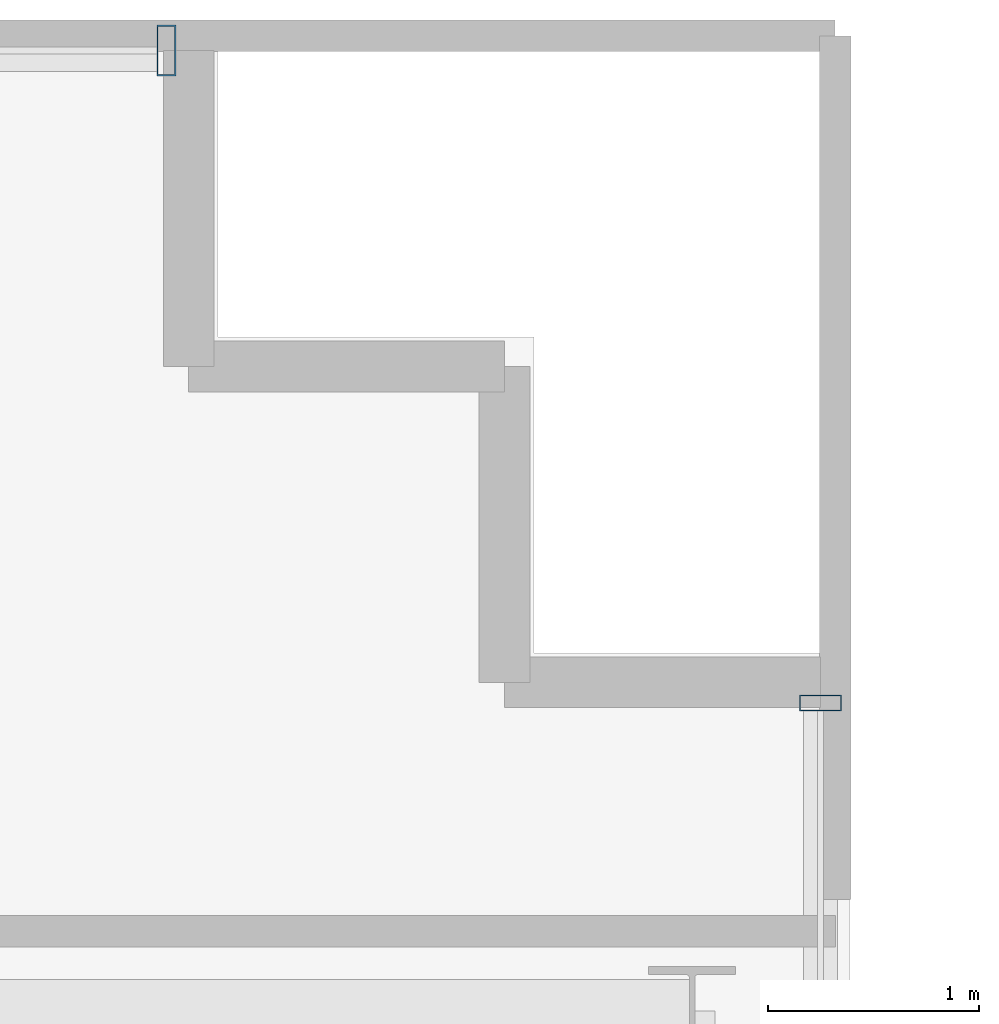
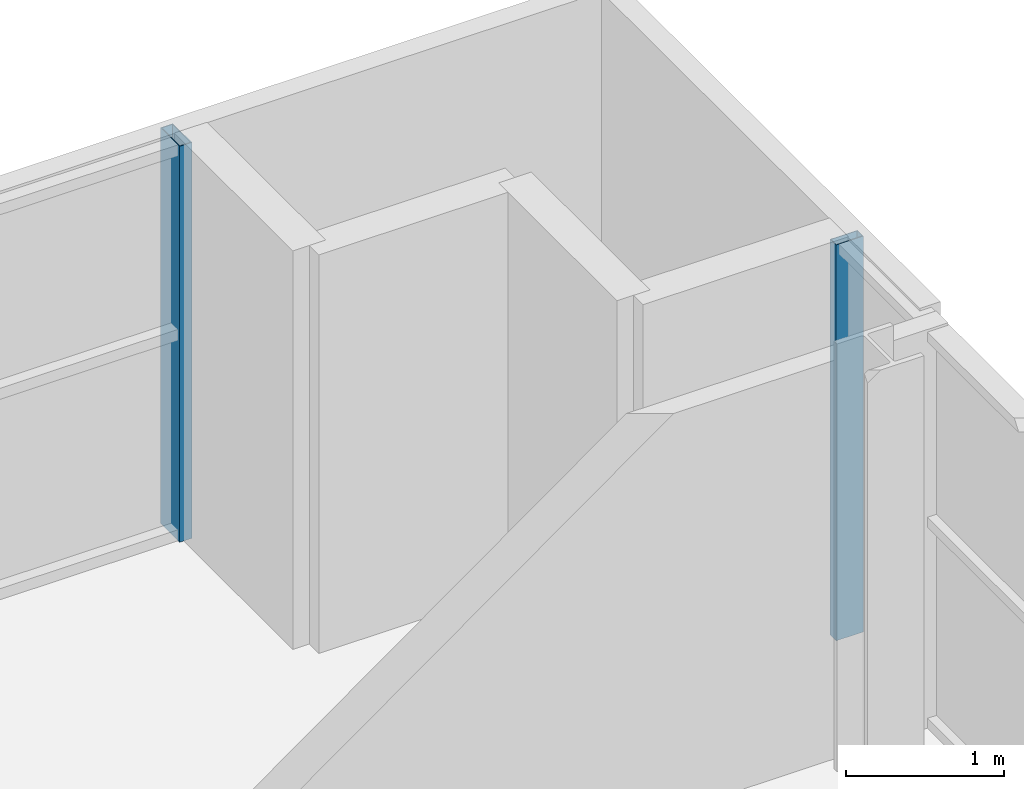
# One storey, part 20 of 30: 2 members, 2 elements without a shape of their own.
"""IFC4 building model written with IfcOpenShell, lengths in metres."""

from ifc_helpers import new_model, si_unit, direction, frame, origin, origin_2d, place, context, subcontext, project, spatial, hollow_rectangle, extrude, source, transform, mapped, material, layer, layer_set, material_profile, profile_set, type_object, element, aggregate, save


model = new_model("IFC4")

# Units and contexts
model_context = context("Model", 3, precision=1e-05, world=origin(), true_north=direction((0.0, 1.0)))
body_context = subcontext(model_context, "Body", "Model", "MODEL_VIEW")
ifc_project = project(units=[si_unit("LENGTHUNIT", "METRE"), si_unit("AREAUNIT", "SQUARE_METRE"), si_unit("VOLUMEUNIT", "CUBIC_METRE"), si_unit("PLANEANGLEUNIT", "RADIAN"), si_unit("MASSUNIT", "GRAM", prefix="KILO")], contexts=[model_context])

# Site, building, storey
site_placement = place(None, origin())
site = spatial("IfcSite", under=ifc_project, at=site_placement, CompositionType="ELEMENT")
building_placement = place(site_placement, origin())
building = spatial("IfcBuilding", under=site, at=building_placement, Name="Zarnakvel Exchange Tower", CompositionType="ELEMENT")
storey_placement = place(building_placement, frame((0.0, 0.0, 50.5)))
storey = spatial("IfcBuildingStorey", under=building, at=storey_placement, Name="L13", CompositionType="ELEMENT", Elevation=50.5)

# Curtain wall, member
ifc_material = material(Name="Architectural Bronze Anodised Aluminium", Category="aluminium")
ifc_layer_1 = layer(ifc_material, 0.239990234375)
ifc_layer_set_1 = layer_set([ifc_layer_1], Name="Architectural Bronze Anodised Aluminium")
curtain_wall_type_1 = type_object("IfcCurtainWallType", Name="CW-02", PredefinedType="NOTDEFINED", material=ifc_layer_set_1)
curtain_wall_1_placement = place(storey_placement, origin())
curtain_wall_1 = element("IfcCurtainWall", 1, at=curtain_wall_1_placement, inside=storey, type_object=curtain_wall_type_1, Name="L13 Curtain Wall CW-L13-N1 (CW-02)", PredefinedType="NOTDEFINED")
ifc_material_profile_1 = material_profile(ifc_material, hollow_rectangle(XDim=0.239990234375, YDim=0.090087890625, WallThickness=0.006103515625, at=origin_2d()))
ifc_profile_set_1 = profile_set([ifc_material_profile_1], Name="Architectural Bronze Anodised Aluminium")
member_type_1 = type_object("IfcMemberType", Name="CWM-02", PredefinedType="MULLION", material=ifc_profile_set_1)
shared_shape_1 = source(origin(), body_context, "Body", "SweptSolid", [
    extrude(hollow_rectangle(XDim=0.239990234375, YDim=0.090087890625, WallThickness=0.006103515625, at=origin_2d()), origin(), (0.0, 0.0, 1.0), 3.054931640625),
])
member_1_placement = place(storey_placement, frame((25.35498046875, 18.06005859375, 0.0), z_axis=(0.0, 0.0, 1.0), x_axis=(0.0, 1.0, 0.0)))
member_1 = element("IfcMember", 2, at=member_1_placement, type_object=member_type_1, Name="CW-02 mullion 8", PredefinedType="MULLION", context=body_context, shape_type="MappedRepresentation", body=[
    mapped(shared_shape_1, transform((0.0, 0.0, 0.0), x_axis=(1.0, 0.0, 0.0), y_axis=(0.0, 1.0, 0.0), z_axis=(0.0, 0.0, 1.0), scale=1.0)),
])
aggregate(curtain_wall_1, [member_1])

ifc_layer_2 = layer(ifc_material, 0.199951171875)
ifc_layer_set_2 = layer_set([ifc_layer_2], Name="Architectural Bronze Anodised Aluminium")
curtain_wall_type_2 = type_object("IfcCurtainWallType", Name="CW-04", PredefinedType="NOTDEFINED", material=ifc_layer_set_2)
curtain_wall_2_placement = place(storey_placement, origin())
curtain_wall_2 = element("IfcCurtainWall", 3, at=curtain_wall_2_placement, inside=storey, type_object=curtain_wall_type_2, Name="L13 Curtain Wall CW-L13-EN (CW-04)", PredefinedType="NOTDEFINED")
ifc_material_profile_2 = material_profile(ifc_material, hollow_rectangle(XDim=0.199951171875, YDim=0.074951171875, WallThickness=0.0048828125, at=origin_2d()))
ifc_profile_set_2 = profile_set([ifc_material_profile_2], Name="Architectural Bronze Anodised Aluminium")
member_type_2 = type_object("IfcMemberType", Name="CWM-04", PredefinedType="MULLION", material=ifc_profile_set_2)
shared_shape_2 = source(origin(), body_context, "Body", "SweptSolid", [
    extrude(hollow_rectangle(XDim=0.199951171875, YDim=0.074951171875, WallThickness=0.0048828125, at=origin_2d()), origin(), (0.0, 0.0, 1.0), 3.054931640625),
])
member_2_placement = place(storey_placement, frame((28.4599609375, 14.96240234375, 0.0), z_axis=(0.0, 0.0, 1.0), x_axis=(-1.0, 0.0, 0.0)))
member_2 = element("IfcMember", 4, at=member_2_placement, type_object=member_type_2, Name="CW-04 mullion 3", PredefinedType="MULLION", context=body_context, shape_type="MappedRepresentation", body=[
    mapped(shared_shape_2, transform((0.0, 0.0, 0.0), x_axis=(1.0, 0.0, 0.0), y_axis=(0.0, 1.0, 0.0), z_axis=(0.0, 0.0, 1.0), scale=1.0)),
])
aggregate(curtain_wall_2, [member_2])

save(model, "model.ifc")
